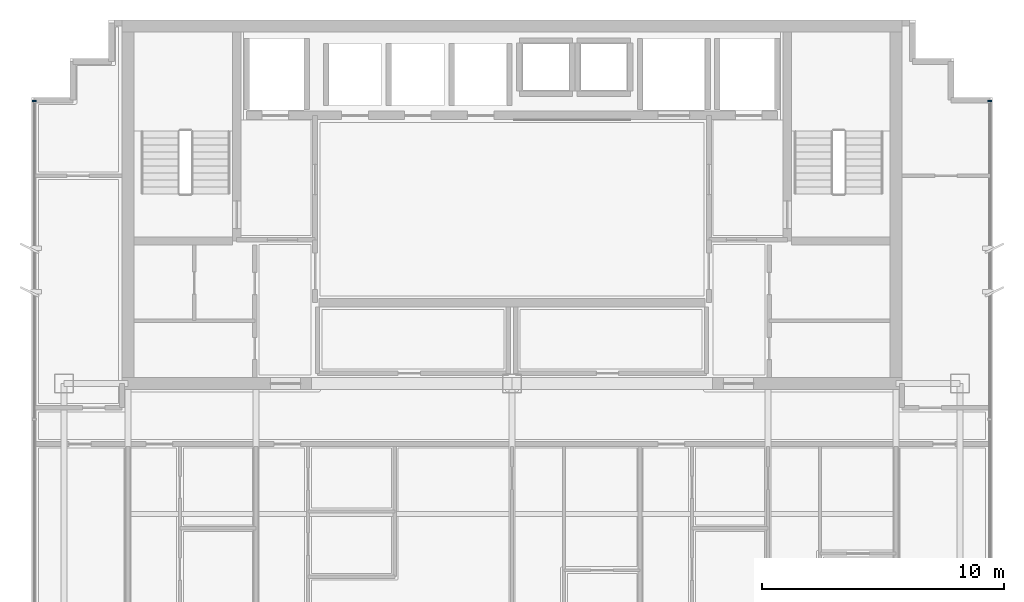
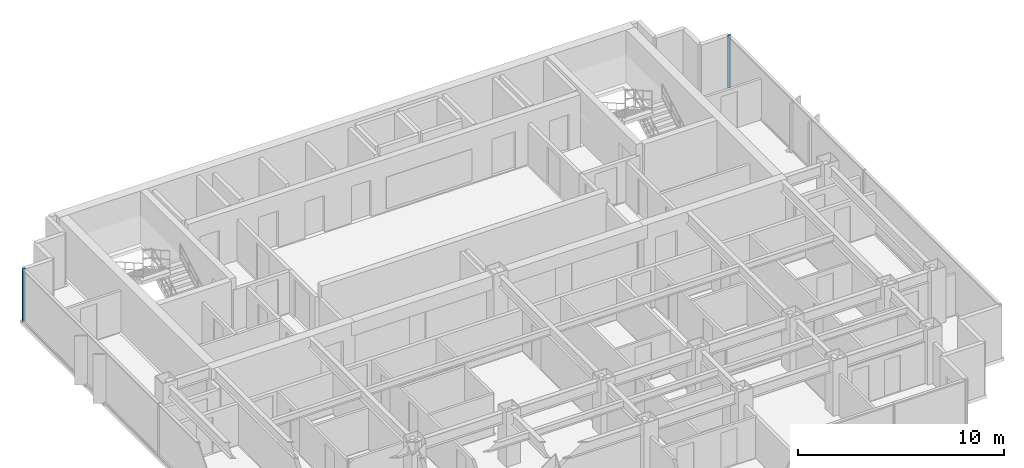
# One storey, part 5 of 12: 2 members, 2 elements without a shape of their own.
"""IFC4 building model written with IfcOpenShell, lengths in metres."""

from ifc_helpers import new_model, si_unit, direction, frame, origin, origin_2d, place, context, subcontext, project, spatial, rectangle, extrude, source, transform, mapped, material, layer, layer_set, material_profile, profile_set, type_object, element, aggregate, save


model = new_model("IFC4")

# Units and contexts
model_context = context("Model", 3, precision=1e-05, world=origin(), true_north=direction((0.0, 1.0)))
body_context = subcontext(model_context, "Body", "Model", "MODEL_VIEW")
ifc_project = project(units=[si_unit("LENGTHUNIT", "METRE"), si_unit("AREAUNIT", "SQUARE_METRE"), si_unit("VOLUMEUNIT", "CUBIC_METRE"), si_unit("PLANEANGLEUNIT", "RADIAN"), si_unit("MASSUNIT", "GRAM", prefix="KILO")], contexts=[model_context])

# Site, building, storey
site_placement = place(None, origin())
site = spatial("IfcSite", under=ifc_project, at=site_placement, CompositionType="ELEMENT")
building_placement = place(site_placement, origin())
building = spatial("IfcBuilding", under=site, at=building_placement, Name="Qianlan Lanfeng Residences", CompositionType="ELEMENT")
storey_placement = place(building_placement, frame((0.0, 0.0, 200.0)))
storey = spatial("IfcBuildingStorey", under=building, at=storey_placement, Name="L54", CompositionType="ELEMENT", Elevation=200.0)

# Curtain wall, member
ifc_material = material(Name="Anodised Bronze Aluminium 6063-T6", Category="aluminium")
ifc_layer = layer(ifc_material, 0.219970703125)
ifc_layer_set = layer_set([ifc_layer], Name="Anodised Bronze Aluminium 6063-T6")
curtain_wall_type = type_object("IfcCurtainWallType", Name="CW-05", PredefinedType="NOTDEFINED", material=ifc_layer_set)
curtain_wall_1_placement = place(storey_placement, origin())
curtain_wall_1 = element("IfcCurtainWall", 1, at=curtain_wall_1_placement, inside=storey, type_object=curtain_wall_type, Name="L54 Unitised Curtain Wall CWR-L54-04 (CW-05)", PredefinedType="NOTDEFINED")
ifc_material_profile = material_profile(ifc_material, rectangle(XDim=0.074951171875, YDim=0.179931640625, at=origin_2d()), Name="ALU MULLION 75x180")
ifc_profile_set = profile_set([ifc_material_profile], Name="Anodised Bronze Aluminium 6063-T6")
member_type = type_object("IfcMemberType", Name="CWM-180", PredefinedType="MULLION", material=ifc_profile_set)
shared_shape = source(origin(), body_context, "Body", "SweptSolid", [
    extrude(rectangle(XDim=0.074951171875, YDim=0.179931640625, at=origin_2d()), origin(), (0.0, 0.0, 1.0), 3.110107421875),
])
member_1_placement = place(storey_placement, frame((46.280029296875, 36.892578125, 0.0), z_axis=(0.0, 0.0, 1.0), x_axis=(0.0, 1.0, 0.0)))
member_1 = element("IfcMember", 2, at=member_1_placement, type_object=member_type, Name="CWR-L54-04 Mullion 3", PredefinedType="MULLION", context=body_context, shape_type="MappedRepresentation", body=[
    mapped(shared_shape, transform((0.0, 0.0, 0.0), scale=1.0)),
])
aggregate(curtain_wall_1, [member_1])

curtain_wall_2_placement = place(storey_placement, origin())
curtain_wall_2 = element("IfcCurtainWall", 3, at=curtain_wall_2_placement, inside=storey, type_object=curtain_wall_type, Name="L54 Unitised Curtain Wall CWR-L54-05 (CW-05)", PredefinedType="NOTDEFINED")
member_2_placement = place(storey_placement, frame((6.719970703125, 36.892578125, 0.0), z_axis=(0.0, 0.0, 1.0), x_axis=(0.0, -1.0, 0.0)))
member_2 = element("IfcMember", 4, at=member_2_placement, type_object=member_type, Name="CWR-L54-05 Mullion 1", PredefinedType="MULLION", context=body_context, shape_type="MappedRepresentation", body=[
    mapped(shared_shape, transform((0.0, 0.0, 0.0), scale=1.0)),
])
aggregate(curtain_wall_2, [member_2])

save(model, "model.ifc")
